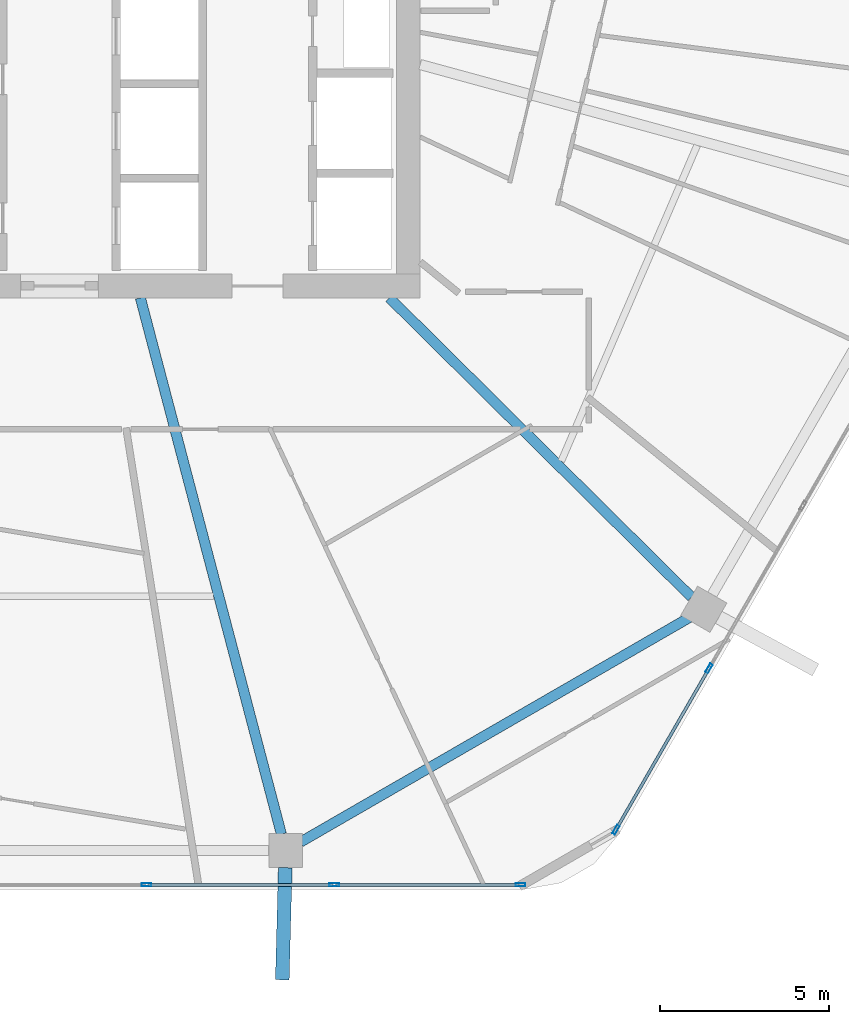
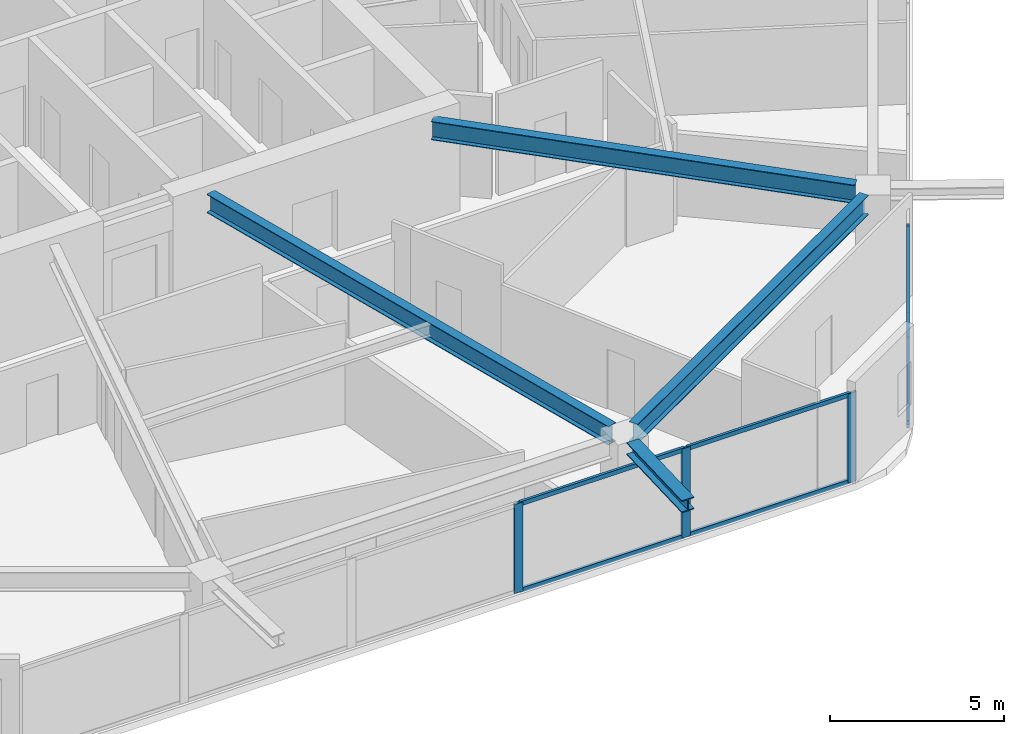
# One storey, part 7 of 25: 11 members, 4 beams, 2 elements without a shape of their own.
"""IFC4 building model written with IfcOpenShell, lengths in metres."""

import ifcopenshell
import ifcopenshell.guid

model = None  # the IFC model being written
_history = None  # IfcOwnerHistory: only IFC2X3 demands one
_inside = {}  # id of a spatial element -> (the spatial element, [elements in it])
_under = {}  # id of a project, library or spatial element -> (it, [spatial elements below it])
_declared = {}  # id of a project -> (the project, [libraries it declares])
_typed = {}  # id of a type object -> (the type object, [elements of that type])
_made_of = {}  # id of a material, layer set ... -> (it, [elements and type objects made of it])


def new_model(schema):
    """Start an empty IFC model of exactly this schema.

    Asked for "IFC4X3", IfcOpenShell would pick the latest addendum, in which some entities
    have other attributes; the version numbers below select the first issue.
    IFC2X3 requires an IfcOwnerHistory on every rooted entity: one is made here for all.
    """
    global model, _history
    if schema == "IFC4X3":
        model = ifcopenshell.file(schema_version=(4, 3, 0, 0))
    else:
        model = ifcopenshell.file(schema=schema)
    _inside.clear()
    _under.clear()
    _declared.clear()
    _typed.clear()
    _made_of.clear()
    _history = None
    if model.schema == "IFC2X3":
        org = make("IfcOrganization", Name="unknown")
        user = make(
            "IfcPersonAndOrganization",
            ThePerson=make("IfcPerson", FamilyName="unknown"),
            TheOrganization=org,
        )
        app = make(
            "IfcApplication",
            ApplicationDeveloper=org,
            Version="unknown",
            ApplicationFullName="unknown",
            ApplicationIdentifier="unknown",
        )
        _history = make(
            "IfcOwnerHistory",
            OwningUser=user,
            OwningApplication=app,
            ChangeAction="ADDED",
            CreationDate=0,
        )
    return model


def make(cls, **values):
    """One entity of the class cls with the attributes given. An attribute that is None is left unset."""
    return model.create_entity(
        cls, **{name: value for name, value in values.items() if value is not None}
    )


def rooted(cls, **values):
    """An entity with a GlobalId (a new one), such as an element, a storey or a relation."""
    return make(cls, GlobalId=ifcopenshell.guid.new(), OwnerHistory=_history, **values)


def si_unit(unit_type, name, prefix=None):
    """IfcSIUnit, for example si_unit("LENGTHUNIT", "METRE", prefix="MILLI")."""
    return make("IfcSIUnit", UnitType=unit_type, Prefix=prefix, Name=name)


def assignment(units):
    """IfcUnitAssignment: the units of a project."""
    return None if units is None else make("IfcUnitAssignment", Units=units)


def point(xyz):
    """IfcCartesianPoint."""
    return None if xyz is None else make("IfcCartesianPoint", Coordinates=xyz)


def direction(xyz):
    """IfcDirection."""
    return None if xyz is None else make("IfcDirection", DirectionRatios=xyz)


def frame(location, z_axis=None, x_axis=None):
    """IfcAxis2Placement3D, a coordinate frame: its origin and axes. An axis left out is left unset."""
    return make(
        "IfcAxis2Placement3D",
        Location=point(location),
        Axis=direction(z_axis),
        RefDirection=direction(x_axis),
    )


def frame_2d(location, x_axis=None):
    """IfcAxis2Placement2D, a coordinate frame in the plane: its origin and x axis."""
    return make(
        "IfcAxis2Placement2D", Location=point(location), RefDirection=direction(x_axis)
    )


def origin():
    """The frame at (0, 0, 0) with its axes left unset."""
    return frame((0.0, 0.0, 0.0))


def origin_2d():
    """The frame at (0, 0) in the plane with its x axis left unset."""
    return frame_2d((0.0, 0.0))


def place(relative_to, where):
    """IfcLocalPlacement: puts the frame where relative to a parent placement (None: the world)."""
    return make(
        "IfcLocalPlacement", PlacementRelTo=relative_to, RelativePlacement=where
    )


def context(
    kind, dimensions, precision=None, world=None, true_north=None, identifier=None
):
    """IfcGeometricRepresentationContext, for example the 3D "Model" context."""
    return make(
        "IfcGeometricRepresentationContext",
        ContextIdentifier=identifier,
        ContextType=kind,
        CoordinateSpaceDimension=dimensions,
        Precision=precision,
        WorldCoordinateSystem=world,
        TrueNorth=true_north,
    )


def subcontext(parent, identifier, kind, view, scale=None):
    """IfcGeometricRepresentationSubContext, for example "Body" below "Model"."""
    return make(
        "IfcGeometricRepresentationSubContext",
        ContextIdentifier=identifier,
        ContextType=kind,
        ParentContext=parent,
        TargetScale=scale,
        TargetView=view,
    )


def project(units=None, contexts=None):
    """IfcProject with its units and contexts."""
    return rooted(
        "IfcProject",
        Name="project",
        RepresentationContexts=contexts,
        UnitsInContext=assignment(units),
    )


def spatial(cls, under=None, at=None, **own):
    """A site, building, storey or space (cls), placed at a placement, below another one or the project."""
    s = rooted(cls, ObjectPlacement=at, **own)
    if under is not None:
        _under.setdefault(under.id(), (under, []))[1].append(s)
    return s


def profile(cls, at=None, kind="AREA", **sizes):
    """A parametric profile (cls). Its sizes go by their IFC names, for example OverallWidth=200.0."""
    return make(cls, ProfileType=kind, Position=at, **sizes)


def hollow_rectangle(**sizes):
    """IfcRectangleHollowProfileDef."""
    return profile("IfcRectangleHollowProfileDef", **sizes)


def i_section(**sizes):
    """IfcIShapeProfileDef."""
    return profile("IfcIShapeProfileDef", **sizes)


def extrude(swept, where, along, depth):
    """IfcExtrudedAreaSolid: the profile swept, set in the frame where, extruded along a direction by depth."""
    return make(
        "IfcExtrudedAreaSolid",
        SweptArea=swept,
        Position=where,
        ExtrudedDirection=direction(along),
        Depth=depth,
    )


def shape(context_of_items, identifier, shape_type, items):
    """IfcShapeRepresentation: the items that make up one representation, for example the "Body"."""
    return make(
        "IfcShapeRepresentation",
        ContextOfItems=context_of_items,
        RepresentationIdentifier=identifier,
        RepresentationType=shape_type,
        Items=items,
    )


def material(Name=None, Category=None):
    """IfcMaterial."""
    return make("IfcMaterial", Name=Name, Category=Category)


def material_profile(
    of_material, cross_section, Name=None, Category=None, Priority=None
):
    """IfcMaterialProfile: a cross section and its material."""
    return make(
        "IfcMaterialProfile",
        Name=Name,
        Material=of_material,
        Profile=cross_section,
        Priority=Priority,
        Category=Category,
    )


def profile_set(profiles, Name=None, composite=None):
    """IfcMaterialProfileSet."""
    return make(
        "IfcMaterialProfileSet",
        Name=Name,
        MaterialProfiles=profiles,
        CompositeProfile=composite,
    )


def made_of(thing, what):
    """Note that an element or type object is made of a material, layer set ...; save() writes the relation."""
    if what is not None:
        _made_of.setdefault(what.id(), (what, []))[1].append(thing)
    return thing


def type_object(cls, material=None, **own):
    """A type object (cls), such as IfcWallType, which elements share."""
    return made_of(rooted(cls, **own), material)


def element(
    cls,
    number,
    at=None,
    inside=None,
    cuts=None,
    type_object=None,
    material=None,
    context=None,
    identifier="Body",
    shape_type=None,
    held_by="IfcProductDefinitionShape",
    body=None,
    shapes=None,
    **own,
):
    """One element of the class cls, such as IfcWall. Its Tag is "e" and its number.

    at: its placement. inside: the storey or other place that contains it. cuts: it is an
    opening in that element (IfcRelVoidsElement). A single representation is given by context,
    identifier, shape_type and body (its items); several are given by shapes. held_by: the class
    of the entity that holds the representations. save() writes the other relations.
    """
    e = rooted(cls, Tag="e%d" % number, ObjectPlacement=at, **own)
    if body is not None:
        shapes = [shape(context, identifier, shape_type, body)]
    if shapes is not None:
        e.Representation = make(held_by, Representations=shapes)
    if inside is not None:
        _inside.setdefault(inside.id(), (inside, []))[1].append(e)
    if cuts is not None:
        rooted(
            "IfcRelVoidsElement", RelatingBuildingElement=cuts, RelatedOpeningElement=e
        )
    if type_object is not None:
        _typed.setdefault(type_object.id(), (type_object, []))[1].append(e)
    return made_of(e, material)


def aggregate(whole, parts):
    """IfcRelAggregates: a whole, such as a stair, and the parts it consists of."""
    return rooted("IfcRelAggregates", RelatingObject=whole, RelatedObjects=parts)


def save(model, path):
    """Write the relations noted so far, then the file.

    IfcRelAggregates (storeys below a building ...), IfcRelContainedInSpatialStructure (elements
    in a storey), IfcRelDefinesByType, IfcRelAssociatesMaterial and IfcRelDeclares: one each for
    every whole, place, type object, material and project.
    """
    for whole, parts in _under.values():
        aggregate(whole, parts)
    for where, things in _inside.values():
        rooted(
            "IfcRelContainedInSpatialStructure",
            RelatedElements=things,
            RelatingStructure=where,
        )
    for kind, things in _typed.values():
        rooted("IfcRelDefinesByType", RelatedObjects=things, RelatingType=kind)
    for what, things in _made_of.values():
        rooted("IfcRelAssociatesMaterial", RelatedObjects=things, RelatingMaterial=what)
    for by, libraries in _declared.values():
        rooted("IfcRelDeclares", RelatingContext=by, RelatedDefinitions=libraries)
    model.write(path)


model = new_model("IFC4")

# Units and contexts
model_context = context("Model", 3, precision=1e-05, world=origin(), true_north=direction((0.0, 1.0)))
body_context = subcontext(model_context, "Body", "Model", "MODEL_VIEW")
ifc_project = project(units=[si_unit("LENGTHUNIT", "METRE"), si_unit("AREAUNIT", "SQUARE_METRE"), si_unit("VOLUMEUNIT", "CUBIC_METRE"), si_unit("PLANEANGLEUNIT", "RADIAN"), si_unit("MASSUNIT", "GRAM", prefix="KILO")], contexts=[model_context])

# Site, building, storey
site_placement = place(None, origin())
site = spatial("IfcSite", under=ifc_project, at=site_placement, CompositionType="ELEMENT")
building_placement = place(site_placement, origin())
building = spatial("IfcBuilding", under=site, at=building_placement, Name="Zuhravey Tower", CompositionType="ELEMENT")
storey_placement = place(building_placement, frame((0.0, 0.0, 180.800048828125)))
storey = spatial("IfcBuildingStorey", under=building, at=storey_placement, Name="L45", CompositionType="ELEMENT", Elevation=180.800048828125)

# Curtain wall, members
ifc_material_1 = material(Name="Thermally broken anodised aluminium", Category="aluminium")
curtain_wall_type = type_object("IfcCurtainWallType", Name="Zone 1-2 Residential Curtain Wall CW3", PredefinedType="NOTDEFINED", material=ifc_material_1)
curtain_wall_1_placement = place(storey_placement, origin())
curtain_wall_1 = element("IfcCurtainWall", 1, at=curtain_wall_1_placement, inside=storey, type_object=curtain_wall_type, Name="L45 CW3 CW-L45-F6-1", PredefinedType="NOTDEFINED")
ifc_material_2 = material(Name="Anodised aluminium", Category="aluminium")
ifc_material_profile_1 = material_profile(ifc_material_2, hollow_rectangle(XDim=0.090087890625, YDim=0.284912109375, WallThickness=0.0048828125, at=origin_2d()), Name="ALU-RHS-90x285x5")
ifc_profile_set_1 = profile_set([ifc_material_profile_1], Name="Anodised aluminium")
member_type_1 = type_object("IfcMemberType", Name="Curtain-Wall Mullion 90x180", PredefinedType="MULLION", material=ifc_profile_set_1)
member_1_placement = place(storey_placement, frame((55.3828125, 11.2060546875, 0.0), z_axis=(0.0, 0.0, 1.0), x_axis=(0.866025138215, -0.500000459979, 0.0)))
member_1 = element("IfcMember", 2, at=member_1_placement, type_object=member_type_1, Name="CW3 mullion 5", PredefinedType="MULLION", context=body_context, shape_type="SweptSolid", body=[
    extrude(hollow_rectangle(XDim=0.090087890625, YDim=0.284912109375, WallThickness=0.0048828125, at=origin_2d()), origin(), (0.0, 0.0, 1.0), 3.1220703125),
])
member_2_placement = place(storey_placement, frame((52.63330078125, 6.443359375, 0.0), z_axis=(0.0, 0.0, 1.0), x_axis=(0.866025138215, -0.500000459979, 0.0)))
member_2 = element("IfcMember", 3, at=member_2_placement, type_object=member_type_1, Name="CW3 mullion 6", PredefinedType="MULLION", context=body_context, shape_type="SweptSolid", body=[
    extrude(hollow_rectangle(XDim=0.090087890625, YDim=0.284912109375, WallThickness=0.0048828125, at=origin_2d()), origin(), (0.0, 0.0, 1.0), 3.1220703125),
])

curtain_wall_2_placement = place(storey_placement, origin())
curtain_wall_2 = element("IfcCurtainWall", 4, at=curtain_wall_2_placement, inside=storey, type_object=curtain_wall_type, Name="L45 CW3 CW-L45-F5-1", PredefinedType="NOTDEFINED")
member_3_placement = place(storey_placement, frame((49.816162109375, 4.81689453125, 0.0), z_axis=(0.0, 0.0, 1.0), x_axis=(0.0, -1.0, 0.0)))
member_3 = element("IfcMember", 5, at=member_3_placement, type_object=member_type_1, Name="CW3 mullion 1", PredefinedType="MULLION", context=body_context, shape_type="SweptSolid", body=[
    extrude(hollow_rectangle(XDim=0.090087890625, YDim=0.284912109375, WallThickness=0.0048828125, at=origin_2d()), origin(), (0.0, 0.0, 1.0), 3.1220703125),
])
member_4_placement = place(storey_placement, frame((44.316650390625, 4.81689453125, 0.0), z_axis=(0.0, 0.0, 1.0), x_axis=(0.0, -1.0, 0.0)))
member_4 = element("IfcMember", 6, at=member_4_placement, type_object=member_type_1, Name="CW3 mullion 2", PredefinedType="MULLION", context=body_context, shape_type="SweptSolid", body=[
    extrude(hollow_rectangle(XDim=0.090087890625, YDim=0.284912109375, WallThickness=0.0048828125, at=origin_2d()), origin(), (0.0, 0.0, 1.0), 3.1220703125),
])
member_5_placement = place(storey_placement, frame((38.772216796875, 4.81689453125, 0.0), z_axis=(0.0, 0.0, 1.0), x_axis=(0.0, -1.0, 0.0)))
member_5 = element("IfcMember", 7, at=member_5_placement, type_object=member_type_1, Name="CW3 mullion 3", PredefinedType="MULLION", context=body_context, shape_type="SweptSolid", body=[
    extrude(hollow_rectangle(XDim=0.090087890625, YDim=0.284912109375, WallThickness=0.0048828125, at=origin_2d()), origin(), (0.0, 0.0, 1.0), 3.1220703125),
])

# Member
ifc_material_profile_2 = material_profile(ifc_material_2, hollow_rectangle(XDim=0.090087890625, YDim=0.14990234375, WallThickness=0.0048828125, at=origin_2d()), Name="ALU-RHS-90x150x5")
ifc_profile_set_2 = profile_set([ifc_material_profile_2], Name="Anodised aluminium")
member_type_2 = type_object("IfcMemberType", Name="Curtain-Wall Transom 90x150", PredefinedType="USERDEFINED", material=ifc_profile_set_2)
member_6_placement = place(storey_placement, frame((55.3603515625, 11.1669921875, 0.044921875), z_axis=(-0.499993332629, -0.866029253159, 0.0), x_axis=(0.866029253159, -0.499993332629, 0.0)))
member_6 = element("IfcMember", 8, at=member_6_placement, type_object=member_type_2, Name="CW3 transom 5.1", ObjectType="TRANSOM", PredefinedType="USERDEFINED", context=body_context, shape_type="SweptSolid", body=[
    extrude(hollow_rectangle(XDim=0.090087890625, YDim=0.14990234375, WallThickness=0.0048828125, at=origin_2d()), origin(), (0.0, 0.0, 1.0), 5.4091796875),
])

member_7_placement = place(storey_placement, frame((55.3603515625, 11.1669921875, 3.076904296875), z_axis=(-0.499993332629, -0.866029253159, 0.0), x_axis=(0.866029253159, -0.499993332629, 0.0)))
member_7 = element("IfcMember", 9, at=member_7_placement, type_object=member_type_2, Name="CW3 transom 5.2", ObjectType="TRANSOM", PredefinedType="USERDEFINED", context=body_context, shape_type="SweptSolid", body=[
    extrude(hollow_rectangle(XDim=0.090087890625, YDim=0.14990234375, WallThickness=0.0048828125, at=origin_2d()), origin(), (0.0, 0.0, 1.0), 5.4091796875),
])

aggregate(curtain_wall_1, [member_1, member_2, member_6, member_7])

member_8_placement = place(storey_placement, frame((49.77099609375, 4.81689453125, 0.044921875), z_axis=(-1.0, 0.0, 0.0), x_axis=(0.0, -1.0, 0.0)))
member_8 = element("IfcMember", 10, at=member_8_placement, type_object=member_type_2, Name="CW3 transom 1.1", ObjectType="TRANSOM", PredefinedType="USERDEFINED", context=body_context, shape_type="SweptSolid", body=[
    extrude(hollow_rectangle(XDim=0.090087890625, YDim=0.14990234375, WallThickness=0.0048828125, at=origin_2d()), origin(), (0.0, 0.0, 1.0), 5.409423828125),
])

member_9_placement = place(storey_placement, frame((49.77099609375, 4.81689453125, 3.076904296875), z_axis=(-1.0, 0.0, 0.0), x_axis=(0.0, -1.0, 0.0)))
member_9 = element("IfcMember", 11, at=member_9_placement, type_object=member_type_2, Name="CW3 transom 1.2", ObjectType="TRANSOM", PredefinedType="USERDEFINED", context=body_context, shape_type="SweptSolid", body=[
    extrude(hollow_rectangle(XDim=0.090087890625, YDim=0.14990234375, WallThickness=0.0048828125, at=origin_2d()), origin(), (0.0, 0.0, 1.0), 5.409423828125),
])

member_10_placement = place(storey_placement, frame((44.271728515625, 4.81689453125, 0.044921875), z_axis=(-1.0, 0.0, 0.0), x_axis=(0.0, -1.0, 0.0)))
member_10 = element("IfcMember", 12, at=member_10_placement, type_object=member_type_2, Name="CW3 transom 2.1", ObjectType="TRANSOM", PredefinedType="USERDEFINED", context=body_context, shape_type="SweptSolid", body=[
    extrude(hollow_rectangle(XDim=0.090087890625, YDim=0.14990234375, WallThickness=0.0048828125, at=origin_2d()), origin(), (0.0, 0.0, 1.0), 5.45458984375),
])

member_11_placement = place(storey_placement, frame((44.271728515625, 4.81689453125, 3.076904296875), z_axis=(-1.0, 0.0, 0.0), x_axis=(0.0, -1.0, 0.0)))
member_11 = element("IfcMember", 13, at=member_11_placement, type_object=member_type_2, Name="CW3 transom 2.2", ObjectType="TRANSOM", PredefinedType="USERDEFINED", context=body_context, shape_type="SweptSolid", body=[
    extrude(hollow_rectangle(XDim=0.090087890625, YDim=0.14990234375, WallThickness=0.0048828125, at=origin_2d()), origin(), (0.0, 0.0, 1.0), 5.45458984375),
])

aggregate(curtain_wall_2, [member_3, member_4, member_5, member_8, member_9, member_10, member_11])

# Beams
ifc_material_3 = material(Name="Steel SM460", Category="steel")
ifc_material_profile_3 = material_profile(ifc_material_3, i_section(OverallWidth=0.406982421875, OverallDepth=0.427978515625, WebThickness=0.02001953125, FlangeThickness=0.034912109375, at=origin_2d()), Name="H-428x407x20x35")
ifc_profile_set_3 = profile_set([ifc_material_profile_3], Name="Steel SM460")
beam_type_1 = type_object("IfcBeamType", Name="Exoskeleton Node Tie Beam H428x407", PredefinedType="BEAM", material=ifc_profile_set_3)
beam_1_placement = place(storey_placement, frame((42.86865234375, 5.322998046875, 3.3359375), z_axis=(-0.026314435655, -0.999653715282, 0.0), x_axis=(0.999653715282, -0.026314435655, 0.0)))
element("IfcBeam", 14, at=beam_1_placement, inside=storey, type_object=beam_type_1, Name="L45 Exoskeleton Node Tie NT1-10", PredefinedType="BEAM", context=body_context, shape_type="SweptSolid", body=[
    extrude(i_section(OverallWidth=0.406982421875, OverallDepth=0.427978515625, WebThickness=0.02001953125, FlangeThickness=0.034912109375, at=origin_2d()), origin(), (0.0, 0.0, 1.0), 3.312255859375),
])
ifc_material_4 = material(Name="Steel SM355", Category="steel")
ifc_material_profile_4 = material_profile(ifc_material_4, i_section(OverallWidth=0.300048828125, OverallDepth=0.679931640625, WebThickness=0.012939453125, FlangeThickness=0.02197265625, at=origin_2d()), Name="H-680x300x13x22")
ifc_profile_set_4 = profile_set([ifc_material_profile_4], Name="Steel SM355")
beam_type_2 = type_object("IfcBeamType", Name="Perimeter Ring Beam H680x300", PredefinedType="BEAM", material=ifc_profile_set_4)
beam_2_placement = place(storey_placement, frame((43.317626953125, 6.078369140625, 3.2099609375), z_axis=(0.866022923061, 0.500004296715, 0.0), x_axis=(-0.500004296715, 0.866022923061, 0.0)))
element("IfcBeam", 15, at=beam_2_placement, inside=storey, type_object=beam_type_2, Name="L45 PB2 BM-L45-PB-10", PredefinedType="BEAM", context=body_context, shape_type="SweptSolid", body=[
    extrude(i_section(OverallWidth=0.300048828125, OverallDepth=0.679931640625, WebThickness=0.012939453125, FlangeThickness=0.02197265625, at=origin_2d()), origin(), (0.0, 0.0, 1.0), 13.2470703125),
])
ifc_material_profile_5 = material_profile(ifc_material_4, i_section(OverallWidth=0.300048828125, OverallDepth=0.64990234375, WebThickness=0.012939453125, FlangeThickness=0.02197265625, at=origin_2d()), Name="H-650x300x13x22")
ifc_profile_set_5 = profile_set([ifc_material_profile_5], Name="Steel SM355")
beam_type_3 = type_object("IfcBeamType", Name="Radial Primary Girder H650x300", PredefinedType="BEAM", material=ifc_profile_set_5)
beam_3_placement = place(storey_placement, frame((38.5908203125, 22.14697265625, 3.224853515625), z_axis=(0.254300244998, -0.967125320418, 0.0), x_axis=(0.967125320418, 0.254300244998, 0.0)))
element("IfcBeam", 16, at=beam_3_placement, inside=storey, type_object=beam_type_3, Name="L45 RG2 BM-L45-RAD-10", PredefinedType="BEAM", context=body_context, shape_type="SweptSolid", body=[
    extrude(i_section(OverallWidth=0.300048828125, OverallDepth=0.64990234375, WebThickness=0.012939453125, FlangeThickness=0.02197265625, at=origin_2d()), origin(), (0.0, 0.0, 1.0), 16.371826171875),
])
beam_4_placement = place(storey_placement, frame((45.945556640625, 22.14697265625, 3.224853515625), z_axis=(0.71040353357, -0.703794586148, 0.0), x_axis=(0.703794586148, 0.71040353357, 0.0)))
element("IfcBeam", 17, at=beam_4_placement, inside=storey, type_object=beam_type_3, Name="L45 RG2 BM-L45-RAD-11", PredefinedType="BEAM", context=body_context, shape_type="SweptSolid", body=[
    extrude(i_section(OverallWidth=0.300048828125, OverallDepth=0.64990234375, WebThickness=0.012939453125, FlangeThickness=0.02197265625, at=origin_2d()), origin(), (0.0, 0.0, 1.0), 12.559814453125),
])

save(model, "model.ifc")
